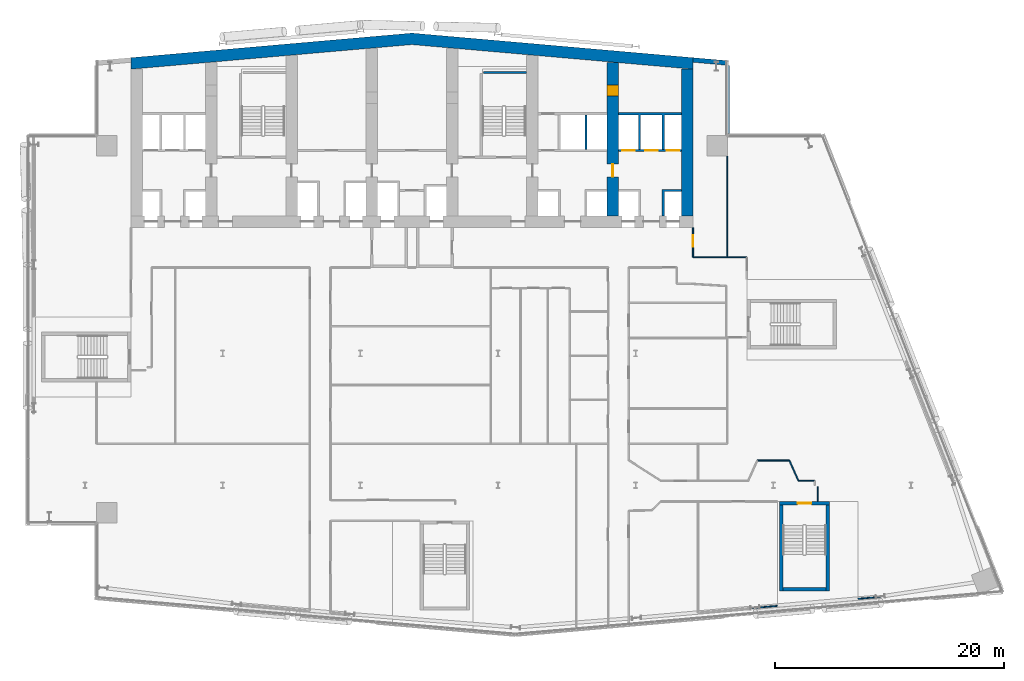
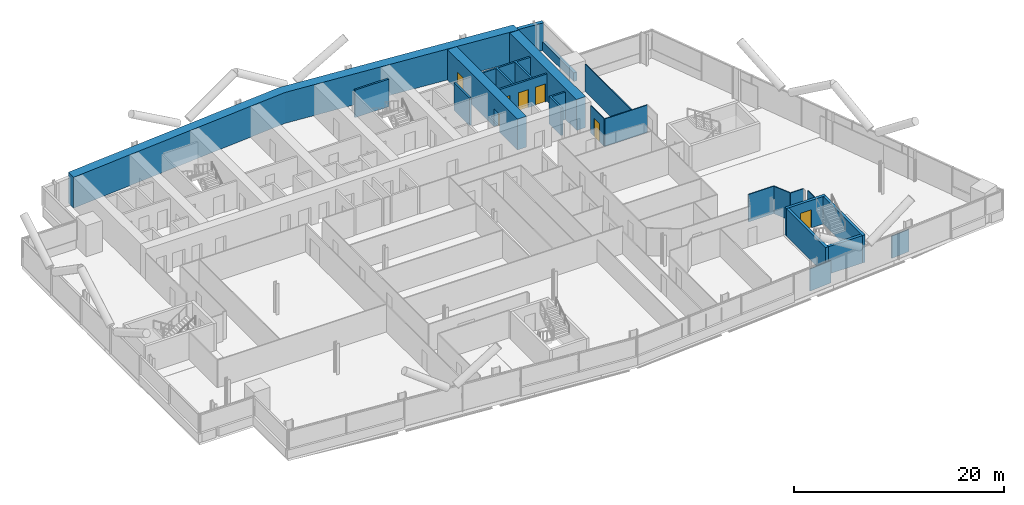
# One storey, part 18 of 27: 23 walls, 7 doors, 7 openings.
"""IFC4 building model written with IfcOpenShell, lengths in metres."""

from ifc_helpers import new_model, si_unit, direction, frame, frame_2d, origin, place, context, subcontext, project, spatial, polyline, rectangle, outline, extrude, material, layer, layer_set, type_object, element, fill, save


model = new_model("IFC4")

# Units and contexts
model_context = context("Model", 3, precision=1e-05, world=origin(), true_north=direction((0.0, 1.0)))
body_context = subcontext(model_context, "Body", "Model", "MODEL_VIEW")
ifc_project = project(units=[si_unit("LENGTHUNIT", "METRE"), si_unit("AREAUNIT", "SQUARE_METRE"), si_unit("VOLUMEUNIT", "CUBIC_METRE"), si_unit("PLANEANGLEUNIT", "RADIAN"), si_unit("MASSUNIT", "GRAM", prefix="KILO")], contexts=[model_context])

# Site, building, storey
site_placement = place(None, origin())
site = spatial("IfcSite", under=ifc_project, at=site_placement, CompositionType="ELEMENT")
building_placement = place(site_placement, origin())
building = spatial("IfcBuilding", under=site, at=building_placement, Name="Wharfspan Tower", CompositionType="ELEMENT")
storey_placement = place(building_placement, frame((0.0, 0.0, 111.100098)))
storey = spatial("IfcBuildingStorey", under=building, at=storey_placement, Name="L25", CompositionType="ELEMENT", Elevation=111.100098)

# Wall, opening, door
ifc_material_1 = material(Name="Gypsum board on steel studs", Category="steel")
ifc_layer_1 = layer(ifc_material_1, 0.100098)
ifc_layer_set_1 = layer_set([ifc_layer_1], Name="Gypsum board on steel studs")
wall_type_1 = type_object("IfcWallType", Name="Compartment wall 100 EI 60", PredefinedType="PARTITIONING", material=ifc_layer_set_1)
wall_1_placement = place(storey_placement, frame((65.0, 31.399902, 0.0), z_axis=(0.0, 0.0, 1.0), x_axis=(0.0, 1.0, 0.0)))
wall_1 = element("IfcWall", 1, at=wall_1_placement, inside=storey, type_object=wall_type_1, Name="Partition L25.w048", PredefinedType="PARTITIONING", context=body_context, shape_type="SweptSolid", body=[
    extrude(rectangle(XDim=2.580078, YDim=0.100098, at=frame_2d((1.290039, 0.0))), origin(), (0.0, 0.0, 1.0), 3.199951),
])
opening_1_placement = place(wall_1_placement, frame((0.899902, 0.0, 0.0)))
opening_1 = element("IfcOpeningElement", 2, at=opening_1_placement, cuts=wall_1, Name="Opening B3-27", PredefinedType="OPENING", context=body_context, shape_type="SweptSolid", body=[
    extrude(rectangle(XDim=1.0, YDim=2.100098, at=frame_2d((0.5, 1.050049))), frame((0.0, 0.060059, 0.0), z_axis=(0.0, -1.0, 0.0), x_axis=(1.0, 0.0, 0.0)), (0.0, 0.0, 1.0), 0.120117),
])
ifc_material_2 = material(Name="Fire-rated timber door leaf in steel frame", Category="steel")
door_type_1 = type_object("IfcDoorType", Name="Door 1000 FD30S Right", OperationType="SINGLE_SWING_RIGHT", PredefinedType="DOOR", material=ifc_material_2)
door_1_placement = place(opening_1_placement, origin())
door_1 = element("IfcDoor", 3, at=door_1_placement, inside=storey, type_object=door_type_1, Name="Door B3-27", OperationType="SINGLE_SWING_RIGHT", OverallHeight=2.100098, OverallWidth=1.0, PredefinedType="DOOR", context=body_context, shape_type="SweptSolid", body=[
    extrude(rectangle(XDim=1.0, YDim=2.100098, at=frame_2d((0.5, 1.050049))), frame((0.0, 0.024902, 0.0), z_axis=(0.0, -1.0, 0.0), x_axis=(1.0, 0.0, 0.0)), (0.0, 0.0, 1.0), 0.050049),
])
fill(opening_1, door_1)

# Walls
wall_2_placement = place(storey_placement, frame((65.0, 31.399902, 0.0), z_axis=(0.0, 0.0, 1.0), x_axis=(1.0, 0.0, 0.0)))
element("IfcWall", 4, at=wall_2_placement, inside=storey, type_object=wall_type_1, Name="Partition L25.w049", PredefinedType="PARTITIONING", context=body_context, shape_type="SweptSolid", body=[
    extrude(rectangle(XDim=4.689941, YDim=0.100098, at=frame_2d((2.344971, 0.0))), origin(), (0.0, 0.0, 1.0), 3.199951),
])
wall_3_placement = place(storey_placement, frame((68.0, 31.399902, 0.0), z_axis=(0.0, 0.0, 1.0), x_axis=(0.0, 1.0, 0.0)))
element("IfcWall", 5, at=wall_3_placement, inside=storey, type_object=wall_type_1, Name="Partition L25.w057", PredefinedType="PARTITIONING", context=body_context, shape_type="SweptSolid", body=[
    extrude(rectangle(XDim=8.790039, YDim=0.100098, at=frame_2d((4.39502, 0.0))), origin(), (0.0, 0.0, 1.0), 3.199951),
])
wall_4_placement = place(storey_placement, frame((70.600098, 13.675049, 0.0), z_axis=(0.0, 0.0, 1.0), x_axis=(1.0, 0.0, 0.0)))
element("IfcWall", 6, at=wall_4_placement, inside=storey, type_object=wall_type_1, Name="Partition L25.w061", PredefinedType="PARTITIONING", context=body_context, shape_type="SweptSolid", body=[
    extrude(rectangle(XDim=2.799805, YDim=0.100098, at=frame_2d((1.399902, 0.0))), origin(), (0.0, 0.0, 1.0), 3.199951),
])
wall_5_placement = place(storey_placement, frame((74.199951, 11.89502, 0.0), z_axis=(0.0, 0.0, 1.0), x_axis=(1.0, 0.0, 0.0)))
element("IfcWall", 7, at=wall_5_placement, inside=storey, type_object=wall_type_1, Name="Partition L25.w062", PredefinedType="PARTITIONING", context=body_context, shape_type="SweptSolid", body=[
    extrude(rectangle(XDim=1.415039, YDim=0.100098, at=frame_2d((0.70752, 0.0))), origin(), (0.0, 0.0, 1.0), 3.199951),
])
wall_6_placement = place(storey_placement, frame((74.199951, 11.89502, 0.0), z_axis=(0.0, 0.0, 1.0), x_axis=(-0.409954, 0.912107, 0.0)))
element("IfcWall", 8, at=wall_6_placement, inside=storey, type_object=wall_type_1, Name="Partition L25.w063", PredefinedType="PARTITIONING", context=body_context, shape_type="SweptSolid", body=[
    extrude(rectangle(XDim=1.95166, YDim=0.100098, at=frame_2d((0.97583, 0.0))), origin(), (0.0, 0.0, 1.0), 3.199951),
])
wall_7_placement = place(storey_placement, frame((75.86499, 10.114746, 0.0), z_axis=(0.0, 0.0, 1.0), x_axis=(0.0, 1.0, 0.0)))
element("IfcWall", 9, at=wall_7_placement, inside=storey, type_object=wall_type_1, Name="Partition L25.w065", PredefinedType="PARTITIONING", context=body_context, shape_type="SweptSolid", body=[
    extrude(rectangle(XDim=1.280273, YDim=0.100098, at=frame_2d((0.640137, 0.0))), origin(), (0.0, 0.0, 1.0), 3.199951),
])
ifc_material_3 = material(Name="Concrete C70/85", Category="concrete")
ifc_layer_2 = layer(ifc_material_3, 1.0)
ifc_layer_set_2 = layer_set([ifc_layer_2], Name="Concrete C70/85")
wall_type_2 = type_object("IfcWallType", Name="Core wall 1000 C70/85", PredefinedType="SHEAR", material=ifc_layer_set_2)
wall_8_placement = place(storey_placement, frame((0.0, 0.0, -0.000244)))
element("IfcWall", 10, at=wall_8_placement, inside=storey, type_object=wall_type_2, Name="Core rear wall L25", PredefinedType="SHEAR", context=body_context, shape_type="SweptSolid", body=[
    extrude(outline(polyline([(16.0, 47.783691), (40.5, 49.927002), (65.0, 47.783691), (65.0, 48.787354), (40.5, 50.930908), (16.0, 48.787354), (16.0, 47.783691)])), origin(), (0.0, 0.0, 1.0), 3.600098),
])

# Wall, openings, doors
wall_9_placement = place(storey_placement, frame((58.0, 35.0, 0.0), z_axis=(0.0, 0.0, 1.0), x_axis=(0.0, 1.0, 0.0)))
wall_9 = element("IfcWall", 11, at=wall_9_placement, inside=storey, type_object=wall_type_2, Name="Core cross wall X7 L25", PredefinedType="SHEAR", context=body_context, shape_type="SweptSolid", body=[
    extrude(rectangle(XDim=13.352295, YDim=1.0, at=frame_2d((6.67627, 0.0))), origin(), (0.0, 0.0, 1.0), 3.599854),
])
opening_2_placement = place(wall_9_placement, frame((10.425537, 0.0, 0.0)))
opening_2 = element("IfcOpeningElement", 12, at=opening_2_placement, cuts=wall_9, Name="Opening CD25.7X", PredefinedType="OPENING", context=body_context, shape_type="SweptSolid", body=[
    extrude(rectangle(XDim=1.0, YDim=2.100098, at=frame_2d((0.5, 1.050049))), frame((0.0, 0.51001, 0.0), z_axis=(0.0, -1.0, 0.0), x_axis=(1.0, 0.0, 0.0)), (0.0, 0.0, 1.0), 1.02002),
])
opening_3_placement = place(wall_9_placement, frame((3.399902, 0.0, 0.0)))
opening_3 = element("IfcOpeningElement", 13, at=opening_3_placement, cuts=wall_9, Name="Opening CC25.7", PredefinedType="OPENING", context=body_context, shape_type="SweptSolid", body=[
    extrude(rectangle(XDim=1.100098, YDim=2.100098, at=frame_2d((0.550049, 1.050049))), frame((0.0, 0.51001, 0.0), z_axis=(0.0, -1.0, 0.0), x_axis=(1.0, 0.0, 0.0)), (0.0, 0.0, 1.0), 1.02002),
])
ifc_material_4 = material(Name="Steel door leaf", Category="steel")
door_type_2 = type_object("IfcDoorType", Name="Core corridor door 1100x2100", OperationType="SINGLE_SWING_LEFT", PredefinedType="DOOR", material=ifc_material_4)
door_2_placement = place(opening_3_placement, origin())
door_2 = element("IfcDoor", 14, at=door_2_placement, inside=storey, type_object=door_type_2, Name="xd:L25:7", OperationType="SINGLE_SWING_LEFT", OverallHeight=2.100098, OverallWidth=1.100098, PredefinedType="DOOR", context=body_context, shape_type="SweptSolid", body=[
    extrude(rectangle(XDim=1.100098, YDim=2.100098, at=frame_2d((0.550049, 1.050049))), frame((0.0, 0.024902, 0.0), z_axis=(0.0, -1.0, 0.0), x_axis=(1.0, 0.0, 0.0)), (0.0, 0.0, 1.0), 0.050049),
])
fill(opening_3, door_2)
door_type_3 = type_object("IfcDoorType", Name="Core room door 1000x2100", OperationType="SINGLE_SWING_LEFT", PredefinedType="DOOR", material=ifc_material_4)
door_3_placement = place(opening_2_placement, origin())
door_3 = element("IfcDoor", 15, at=door_3_placement, inside=storey, type_object=door_type_3, Name="d:L25:7:sx", OperationType="SINGLE_SWING_LEFT", OverallHeight=2.100098, OverallWidth=1.0, PredefinedType="DOOR", context=body_context, shape_type="SweptSolid", body=[
    extrude(rectangle(XDim=1.0, YDim=2.100098, at=frame_2d((0.5, 1.050049))), frame((0.0, 0.499756, 0.0), z_axis=(0.0, -1.0, 0.0), x_axis=(1.0, 0.0, 0.0)), (0.0, 0.0, 1.0), 0.999512),
])
fill(opening_2, door_3)

# Walls
wall_10_placement = place(storey_placement, frame((64.5, 35.0, 0.0), z_axis=(0.0, 0.0, 1.0), x_axis=(0.0, 1.0, 0.0)))
element("IfcWall", 16, at=wall_10_placement, inside=storey, type_object=wall_type_2, Name="Core cross wall EW1 L25", PredefinedType="SHEAR", context=body_context, shape_type="SweptSolid", body=[
    extrude(rectangle(XDim=12.783691, YDim=1.0, at=frame_2d((6.391846, 0.0))), origin(), (0.0, 0.0, 1.0), 3.599854),
])
ifc_material_5 = material(Name="Concrete C30/37", Category="concrete")
ifc_layer_3 = layer(ifc_material_5, 0.199951)
ifc_layer_set_3 = layer_set([ifc_layer_3], Name="Concrete C30/37")
wall_type_3 = type_object("IfcWallType", Name="Lift shaft wall 200", PredefinedType="PARTITIONING", material=ifc_layer_set_3)
wall_11_placement = place(storey_placement, frame((0.0, 0.0, -0.000244)))
element("IfcWall", 17, at=wall_11_placement, inside=storey, type_object=wall_type_3, Name="sw:L25:RM6.1", PredefinedType="PARTITIONING", context=body_context, shape_type="SweptSolid", body=[
    extrude(outline(polyline([(55.56665, 40.800049), (55.56665, 43.800049), (55.766602, 43.800049), (55.766602, 40.800049), (55.56665, 40.800049)])), origin(), (0.0, 0.0, 1.0), 3.200195),
])

# Wall, openings, doors
wall_12_placement = place(storey_placement, frame((58.5, 40.699951, 0.0), z_axis=(0.0, 0.0, 1.0), x_axis=(1.0, 0.0, 0.0)))
wall_12 = element("IfcWall", 18, at=wall_12_placement, inside=storey, type_object=wall_type_3, Name="sw:L25:RF7", PredefinedType="PARTITIONING", context=body_context, shape_type="SweptSolid", body=[
    extrude(rectangle(XDim=5.5, YDim=0.199951, at=frame_2d((2.75, 0.0))), origin(), (0.0, 0.0, 1.0), 3.199951),
])
opening_4_placement = place(wall_12_placement, frame((0.31665, 0.0, 0.0)))
opening_4 = element("IfcOpeningElement", 19, at=opening_4_placement, cuts=wall_12, Name="Opening LD.LA8.L25", PredefinedType="OPENING", context=body_context, shape_type="SweptSolid", body=[
    extrude(rectangle(XDim=1.100098, YDim=2.100098, at=frame_2d((0.550049, 1.050049))), frame((0.0, 0.109863, 0.0), z_axis=(0.0, -1.0, 0.0), x_axis=(1.0, 0.0, 0.0)), (0.0, 0.0, 1.0), 0.219971),
])
opening_5_placement = place(wall_12_placement, frame((2.31665, 0.0, 0.0)))
opening_5 = element("IfcOpeningElement", 20, at=opening_5_placement, cuts=wall_12, Name="Opening LD.LA9.L25", PredefinedType="OPENING", context=body_context, shape_type="SweptSolid", body=[
    extrude(rectangle(XDim=1.100098, YDim=2.100098, at=frame_2d((0.550049, 1.050049))), frame((0.0, 0.109863, 0.0), z_axis=(0.0, -1.0, 0.0), x_axis=(1.0, 0.0, 0.0)), (0.0, 0.0, 1.0), 0.219971),
])
opening_6_placement = place(wall_12_placement, frame((4.199951, 0.0, 0.0)))
opening_6 = element("IfcOpeningElement", 21, at=opening_6_placement, cuts=wall_12, Name="Opening LD.LA10.L25", PredefinedType="OPENING", context=body_context, shape_type="SweptSolid", body=[
    extrude(rectangle(XDim=1.100098, YDim=2.100098, at=frame_2d((0.550049, 1.050049))), frame((0.0, 0.109863, 0.0), z_axis=(0.0, -1.0, 0.0), x_axis=(1.0, 0.0, 0.0)), (0.0, 0.0, 1.0), 0.219971),
])
ifc_material_6 = material(Name="Stainless steel", Category="steel")
door_type_4 = type_object("IfcDoorType", Name="Lift landing door 1100x2100", OperationType="DOUBLE_DOOR_SLIDING", PredefinedType="DOOR", material=ifc_material_6)
door_4_placement = place(opening_4_placement, origin())
door_4 = element("IfcDoor", 22, at=door_4_placement, inside=storey, type_object=door_type_4, Name="Landing door LA8 L25", OperationType="DOUBLE_DOOR_SLIDING", OverallHeight=2.100098, OverallWidth=1.100098, PredefinedType="DOOR", context=body_context, shape_type="SweptSolid", body=[
    extrude(rectangle(XDim=1.100098, YDim=2.100098, at=frame_2d((0.550049, 1.050049))), frame((0.0, 0.024902, 0.0), z_axis=(0.0, -1.0, 0.0), x_axis=(1.0, 0.0, 0.0)), (0.0, 0.0, 1.0), 0.050049),
])
fill(opening_4, door_4)
door_5_placement = place(opening_5_placement, origin())
door_5 = element("IfcDoor", 23, at=door_5_placement, inside=storey, type_object=door_type_4, Name="Landing door LA9 L25", OperationType="DOUBLE_DOOR_SLIDING", OverallHeight=2.100098, OverallWidth=1.100098, PredefinedType="DOOR", context=body_context, shape_type="SweptSolid", body=[
    extrude(rectangle(XDim=1.100098, YDim=2.100098, at=frame_2d((0.550049, 1.050049))), frame((0.0, 0.024902, 0.0), z_axis=(0.0, -1.0, 0.0), x_axis=(1.0, 0.0, 0.0)), (0.0, 0.0, 1.0), 0.050049),
])
fill(opening_5, door_5)
door_6_placement = place(opening_6_placement, origin())
door_6 = element("IfcDoor", 24, at=door_6_placement, inside=storey, type_object=door_type_4, Name="Landing door LA10 L25", OperationType="DOUBLE_DOOR_SLIDING", OverallHeight=2.100098, OverallWidth=1.100098, PredefinedType="DOOR", context=body_context, shape_type="SweptSolid", body=[
    extrude(rectangle(XDim=1.100098, YDim=2.100098, at=frame_2d((0.550049, 1.050049))), frame((0.0, 0.024902, 0.0), z_axis=(0.0, -1.0, 0.0), x_axis=(1.0, 0.0, 0.0)), (0.0, 0.0, 1.0), 0.050049),
])
fill(opening_6, door_6)

# Walls
wall_13_placement = place(storey_placement, frame((0.0, 0.0, -0.000244)))
element("IfcWall", 25, at=wall_13_placement, inside=storey, type_object=wall_type_3, Name="sw:L25:FM7.1", PredefinedType="PARTITIONING", context=body_context, shape_type="SweptSolid", body=[
    extrude(outline(polyline([(62.300049, 37.300049), (62.5, 37.300049), (64.0, 37.300049), (64.0, 37.100098), (62.5, 37.100098), (62.5, 35.0), (62.300049, 35.0), (62.300049, 37.300049)])), origin(), (0.0, 0.0, 1.0), 3.200195),
])
wall_14_placement = place(storey_placement, frame((0.0, 0.0, -0.000244)))
element("IfcWall", 26, at=wall_14_placement, inside=storey, type_object=wall_type_3, Name="sw:L25:RM7.0", PredefinedType="PARTITIONING", context=body_context, shape_type="SweptSolid", body=[
    extrude(outline(polyline([(60.43335, 40.800049), (60.233398, 40.800049), (60.233398, 43.800049), (58.5, 43.800049), (58.5, 44.0), (64.0, 44.0), (64.0, 43.800049), (62.5, 43.800049), (62.5, 40.800049), (62.300049, 40.800049), (62.300049, 43.800049), (60.43335, 43.800049), (60.43335, 40.800049)])), origin(), (0.0, 0.0, 1.0), 3.200195),
])
ifc_layer_4 = layer(ifc_material_1, 0.100098)
ifc_layer_set_4 = layer_set([ifc_layer_4], Name="Gypsum board on steel studs")
wall_type_4 = type_object("IfcWallType", Name="Partition 100", PredefinedType="PARTITIONING", material=ifc_layer_set_4)
wall_15_placement = place(storey_placement, frame((69.909912, 0.780029, 0.0), z_axis=(0.0, 0.0, 1.0), x_axis=(0.99619, 0.087259, 0.0)))
element("IfcWall", 27, at=wall_15_placement, inside=storey, type_object=wall_type_4, Name="Partition L25.w060", PredefinedType="PARTITIONING", context=body_context, shape_type="SweptSolid", body=[
    extrude(rectangle(XDim=2.445312, YDim=0.100098, at=frame_2d((1.222656, 0.0))), origin(), (0.0, 0.0, 1.0), 2.579834),
])
wall_16_placement = place(storey_placement, frame((79.385986, 1.606689, 0.0), z_axis=(0.0, 0.0, 1.0), x_axis=(0.996228, 0.08682, 0.0)))
element("IfcWall", 28, at=wall_16_placement, inside=storey, type_object=wall_type_4, Name="Partition L25.w066", PredefinedType="PARTITIONING", context=body_context, shape_type="SweptSolid", body=[
    extrude(rectangle(XDim=1.996582, YDim=0.100098, at=frame_2d((0.998291, 0.0))), origin(), (0.0, 0.0, 1.0), 2.579834),
])
ifc_material_7 = material(Name="Concrete C40/50", Category="concrete")
ifc_layer_5 = layer(ifc_material_7, 0.350098)
ifc_layer_set_5 = layer_set([ifc_layer_5], Name="Concrete C40/50")
wall_type_5 = type_object("IfcWallType", Name="SPANDREL EXPOSED CONCRETE 350", PredefinedType="SOLIDWALL", material=ifc_layer_set_5)
wall_17_placement = place(storey_placement, frame((68.004883, 42.179932, 0.0), z_axis=(0.0, 0.0, 1.0), x_axis=(0.0, 1.0, 0.0)))
element("IfcWall", 29, at=wall_17_placement, inside=storey, type_object=wall_type_5, Name="Spandrel upstand L25 NRE-V", PredefinedType="SOLIDWALL", context=body_context, shape_type="SweptSolid", body=[
    extrude(rectangle(XDim=5.946533, YDim=0.350098, at=frame_2d((2.973145, 0.0))), origin(), (0.0, 0.0, 1.0), 1.0),
])

# Wall, opening, door
ifc_layer_6 = layer(ifc_material_7, 0.300049)
ifc_layer_set_6 = layer_set([ifc_layer_6], Name="Concrete C40/50")
wall_type_6 = type_object("IfcWallType", Name="Stair core wall 300", PredefinedType="SHEAR", material=ifc_layer_set_6)
wall_18_placement = place(storey_placement, frame((72.541016, 9.94458, 0.0), z_axis=(0.0, 0.0, 1.0), x_axis=(1.0, 0.0, 0.0)))
wall_18 = element("IfcWall", 30, at=wall_18_placement, inside=storey, type_object=wall_type_6, Name="ST5 stair enclosure wall L25", PredefinedType="SHEAR", context=body_context, shape_type="SweptSolid", body=[
    extrude(rectangle(XDim=4.350098, YDim=0.300049, at=frame_2d((2.175049, 0.0))), origin(), (0.0, 0.0, 1.0), 3.199951),
])
opening_7_placement = place(wall_18_placement, frame((1.574951, 0.0, 0.0)))
opening_7 = element("IfcOpeningElement", 31, at=opening_7_placement, cuts=wall_18, Name="Opening SD5.L25", PredefinedType="OPENING", context=body_context, shape_type="SweptSolid", body=[
    extrude(rectangle(XDim=1.199951, YDim=2.100098, at=frame_2d((0.600098, 1.050049))), frame((0.0, 0.159912, 0.0), z_axis=(0.0, -1.0, 0.0), x_axis=(1.0, 0.0, 0.0)), (0.0, 0.0, 1.0), 0.320068),
])
door_type_5 = type_object("IfcDoorType", Name="Stair door 1200x2100", OperationType="SINGLE_SWING_LEFT", PredefinedType="DOOR", material=ifc_material_4)
door_7_placement = place(opening_7_placement, origin())
door_7 = element("IfcDoor", 32, at=door_7_placement, inside=storey, type_object=door_type_5, Name="sd:L25:ST5z2", OperationType="SINGLE_SWING_RIGHT", OverallHeight=2.100098, OverallWidth=1.199951, PredefinedType="DOOR", context=body_context, shape_type="SweptSolid", body=[
    extrude(rectangle(XDim=1.199951, YDim=2.100098, at=frame_2d((0.600098, 1.050049))), frame((0.0, 0.024902, 0.0), z_axis=(0.0, -1.0, 0.0), x_axis=(1.0, 0.0, 0.0)), (0.0, 0.0, 1.0), 0.050049),
])
fill(opening_7, door_7)

# Walls
for number, where, z_axis, x_axis, name in (
    (33, (72.690918, 2.294678, 0.0), (0.0, 0.0, 1.0), (0.0, 1.0, 0.0), "ST5 stair enclosure wall L25"),
    (34, (76.740967, 2.294678, 0.0), (0.0, 0.0, 1.0), (0.0, 1.0, 0.0), "ST5 stair enclosure wall L25"),
):
    element("IfcWall", number, at=place(storey_placement, frame(where, z_axis=z_axis, x_axis=x_axis)), inside=storey, type_object=wall_type_6, Name=name, PredefinedType="SHEAR", context=body_context, shape_type="SweptSolid", body=[
        extrude(rectangle(XDim=7.5, YDim=0.300049, at=frame_2d((3.75, 0.0))), origin(), (0.0, 0.0, 1.0), 3.199951),
    ])
wall_19_placement = place(storey_placement, frame((72.841064, 2.44458, 0.0), z_axis=(0.0, 0.0, 1.0), x_axis=(1.0, 0.0, 0.0)))
element("IfcWall", 35, at=wall_19_placement, inside=storey, type_object=wall_type_6, Name="ST5 stair enclosure wall L25", PredefinedType="SHEAR", context=body_context, shape_type="SweptSolid", body=[
    extrude(rectangle(XDim=3.75, YDim=0.300049, at=frame_2d((1.875, 0.0))), origin(), (0.0, 0.0, 1.0), 3.199951),
])
ifc_layer_7 = layer(ifc_material_7, 0.199951)
ifc_layer_set_7 = layer_set([ifc_layer_7], Name="Concrete C40/50")
wall_type_7 = type_object("IfcWallType", Name="Stair shaft wall 200", PredefinedType="SHEAR", material=ifc_layer_set_7)
wall_20_placement = place(storey_placement, frame((46.75, 47.5, 0.0), z_axis=(0.0, 0.0, 1.0), x_axis=(1.0, 0.0, 0.0)))
element("IfcWall", 36, at=wall_20_placement, inside=storey, type_object=wall_type_7, Name="ST2 stair enclosure wall L25", PredefinedType="SHEAR", context=body_context, shape_type="SweptSolid", body=[
    extrude(rectangle(XDim=3.75, YDim=0.199951, at=frame_2d((1.875, 0.0))), origin(), (0.0, 0.0, 1.0), 3.199951),
])
ifc_layer_8 = layer(ifc_material_7, 0.399902)
ifc_layer_set_8 = layer_set([ifc_layer_8], Name="Concrete C40/50")
wall_type_8 = type_object("IfcWallType", Name="WALL EXPOSED CONCRETE 400", PredefinedType="SOLIDWALL", material=ifc_layer_set_8)
wall_21_placement = place(storey_placement, frame((67.982666, 48.325684, 0.0), z_axis=(0.0, 0.0, 1.0), x_axis=(-0.996194, 0.087168, 0.0)))
element("IfcWall", 37, at=wall_21_placement, inside=storey, type_object=wall_type_8, Name="Rear wall N2", PredefinedType="SOLIDWALL", context=body_context, shape_type="SweptSolid", body=[
    extrude(rectangle(XDim=2.994141, YDim=0.399902, at=frame_2d((1.49707, 0.0))), origin(), (0.0, 0.0, 1.0), 3.199951),
])

save(model, "model.ifc")
